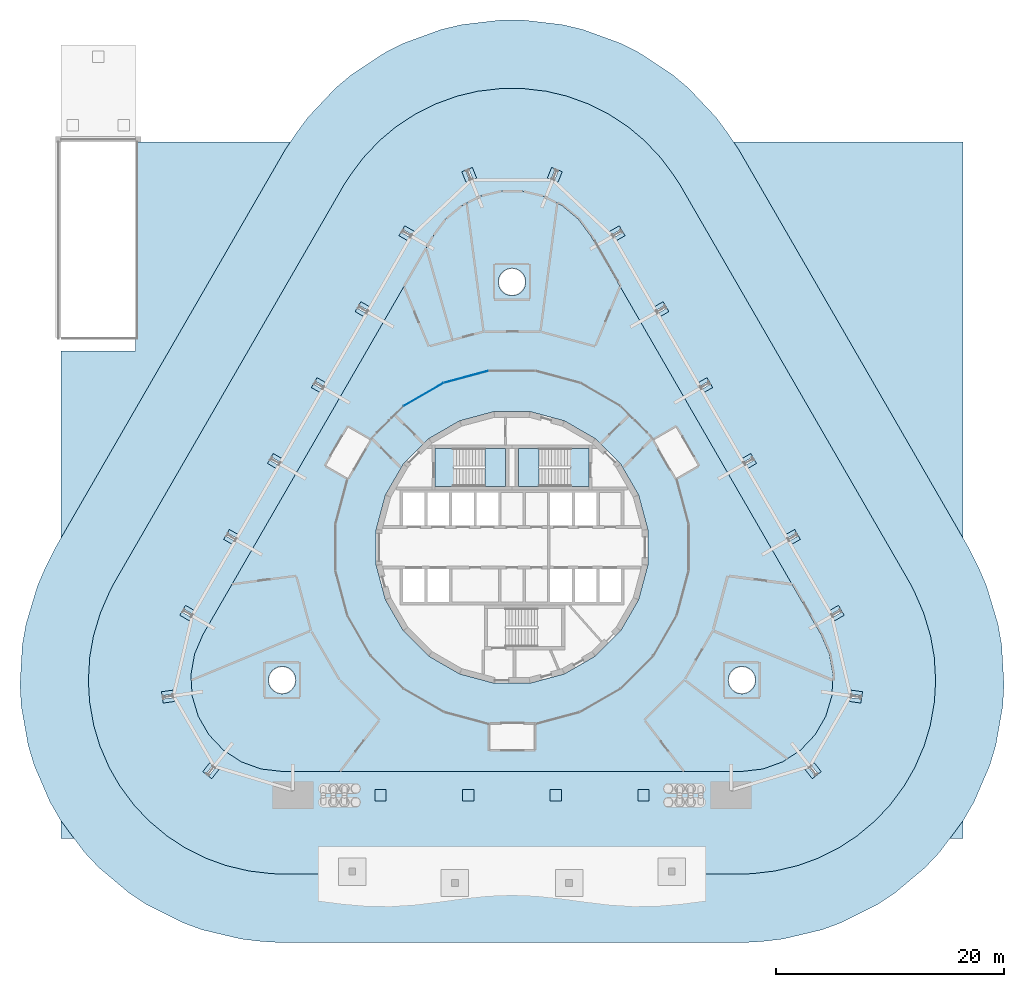
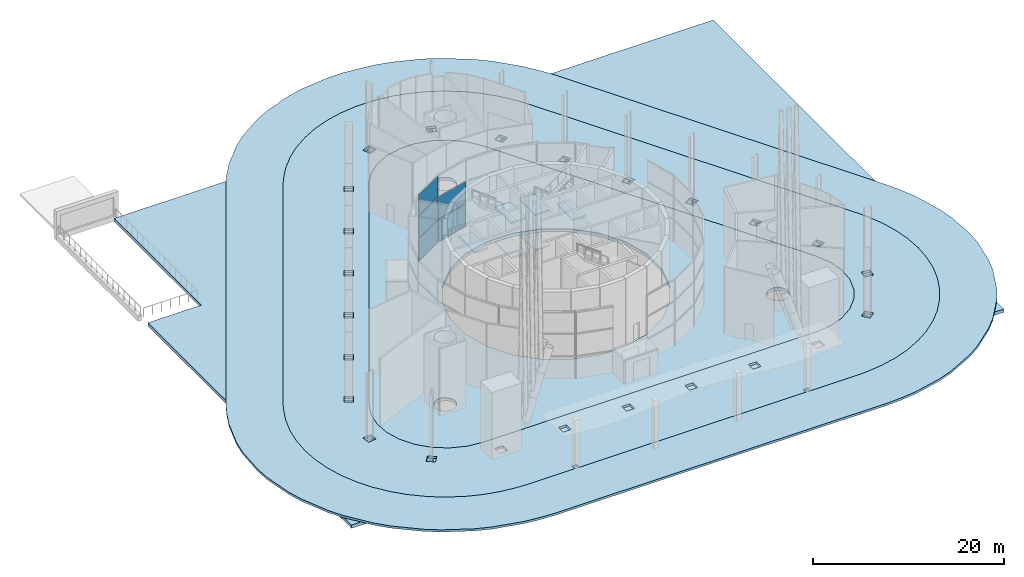
# One storey, part 12 of 21: 10 slabs, 5 plates, 4 elements without a shape of their own.
"""IFC4 building model written with IfcOpenShell, lengths in metres."""

from ifc_helpers import new_model, si_unit, direction, frame, origin, origin_2d, place, context, subcontext, project, spatial, polyline, rectangle, outline, extrude, material, layer, layer_set, type_object, element, aggregate, save


model = new_model("IFC4")

# Units and contexts
model_context = context("Model", 3, precision=1e-05, world=origin(), true_north=direction((0.0, 1.0)))
body_context = subcontext(model_context, "Body", "Model", "MODEL_VIEW")
ifc_project = project(units=[si_unit("LENGTHUNIT", "METRE"), si_unit("AREAUNIT", "SQUARE_METRE"), si_unit("VOLUMEUNIT", "CUBIC_METRE"), si_unit("PLANEANGLEUNIT", "RADIAN"), si_unit("MASSUNIT", "GRAM", prefix="KILO")], contexts=[model_context])

# Site, building, storey
site_placement = place(None, origin())
site = spatial("IfcSite", under=ifc_project, at=site_placement, CompositionType="ELEMENT")
building_placement = place(site_placement, origin())
building = spatial("IfcBuilding", under=site, at=building_placement, Name="Spindle Arch Residences", CompositionType="ELEMENT")
storey_placement = place(building_placement, origin())
storey = spatial("IfcBuildingStorey", under=building, at=storey_placement, Name="L00", CompositionType="ELEMENT", Elevation=0.0)

# Stair, slabs
ifc_material_1 = material(Name="Concrete C50/60", Category="concrete")
stair_type = type_object("IfcStairType", Name="Exit stair 44 risers", PredefinedType="HALF_TURN_STAIR", material=ifc_material_1)
stair_1_placement = place(storey_placement, origin())
stair_1 = element("IfcStair", 1, at=stair_1_placement, inside=storey, type_object=stair_type, Name="L00 Exit stair ST1", PredefinedType="HALF_TURN_STAIR")
ifc_material_2 = material(Name="Concrete C50/60", Category="concrete")
ifc_layer_1 = layer(ifc_material_2, 0.219970703125)
ifc_layer_set_1 = layer_set([ifc_layer_1], Name="Exit stair landing 220")
slab_type_1 = type_object("IfcSlabType", Name="Exit stair landing 220", PredefinedType="LANDING", material=ifc_layer_set_1)
slab_1_placement = place(storey_placement, frame((0.0, 0.0, 2.030029296875)))
slab_1 = element("IfcSlab", 2, at=slab_1_placement, type_object=slab_type_1, Name="ST1 landing 1", PredefinedType="LANDING", context=body_context, shape_type="SweptSolid", body=[
    extrude(outline(polyline([(2.3701171875, 8.669921875), (0.550048828125, 8.669921875), (0.550048828125, 5.35009765625), (2.3701171875, 5.35009765625), (2.3701171875, 8.669921875)])), origin(), (0.0, 0.0, 1.0), 0.219970703125),
])
slab_2_placement = place(storey_placement, frame((0.0, 0.0, 4.280029296875)))
slab_2 = element("IfcSlab", 3, at=slab_2_placement, type_object=slab_type_1, Name="ST1 landing 2", PredefinedType="LANDING", context=body_context, shape_type="SweptSolid", body=[
    extrude(outline(polyline([(6.75, 8.669921875), (5.1298828125, 8.669921875), (5.1298828125, 5.35009765625), (6.75, 5.35009765625), (6.75, 8.669921875)])), origin(), (0.0, 0.0, 1.0), 0.219970703125),
])
slab_3_placement = place(storey_placement, frame((0.0, 0.0, 6.530029296875)))
slab_3 = element("IfcSlab", 4, at=slab_3_placement, type_object=slab_type_1, Name="ST1 landing 3", PredefinedType="LANDING", context=body_context, shape_type="SweptSolid", body=[
    extrude(outline(polyline([(2.3701171875, 8.669921875), (0.550048828125, 8.669921875), (0.550048828125, 5.35009765625), (2.3701171875, 5.35009765625), (2.3701171875, 8.669921875)])), origin(), (0.0, 0.0, 1.0), 0.219970703125),
])
aggregate(stair_1, [slab_1, slab_2, slab_3])

stair_2_placement = place(storey_placement, origin())
stair_2 = element("IfcStair", 5, at=stair_2_placement, inside=storey, type_object=stair_type, Name="L00 Exit stair ST2", PredefinedType="HALF_TURN_STAIR")
slab_4_placement = place(storey_placement, frame((0.0, 0.0, 2.030029296875)))
slab_4 = element("IfcSlab", 6, at=slab_4_placement, type_object=slab_type_1, Name="ST2 landing 1", PredefinedType="LANDING", context=body_context, shape_type="SweptSolid", body=[
    extrude(outline(polyline([(-2.3701171875, 5.35009765625), (-0.550048828125, 5.35009765625), (-0.550048828125, 8.669921875), (-2.3701171875, 8.669921875), (-2.3701171875, 5.35009765625)])), origin(), (0.0, 0.0, 1.0), 0.219970703125),
])
slab_5_placement = place(storey_placement, frame((0.0, 0.0, 4.280029296875)))
slab_5 = element("IfcSlab", 7, at=slab_5_placement, type_object=slab_type_1, Name="ST2 landing 2", PredefinedType="LANDING", context=body_context, shape_type="SweptSolid", body=[
    extrude(outline(polyline([(-6.75, 5.35009765625), (-5.1298828125, 5.35009765625), (-5.1298828125, 8.669921875), (-6.75, 8.669921875), (-6.75, 5.35009765625)])), origin(), (0.0, 0.0, 1.0), 0.219970703125),
])
slab_6_placement = place(storey_placement, frame((0.0, 0.0, 6.530029296875)))
slab_6 = element("IfcSlab", 8, at=slab_6_placement, type_object=slab_type_1, Name="ST2 landing 3", PredefinedType="LANDING", context=body_context, shape_type="SweptSolid", body=[
    extrude(outline(polyline([(-2.3701171875, 5.35009765625), (-0.550048828125, 5.35009765625), (-0.550048828125, 8.669921875), (-2.3701171875, 8.669921875), (-2.3701171875, 5.35009765625)])), origin(), (0.0, 0.0, 1.0), 0.219970703125),
])
aggregate(stair_2, [slab_4, slab_5, slab_6])

# Slabs
ifc_material_3 = material(Name="Concrete C40/50", Category="concrete")
ifc_layer_2 = layer(ifc_material_3, 0.419921875)
ifc_layer_set_2 = layer_set([ifc_layer_2], Name="Ground floor slab 420")
slab_type_2 = type_object("IfcSlabType", Name="Ground floor slab 420", PredefinedType="FLOOR", material=ifc_layer_set_2)
slab_7_placement = place(storey_placement, frame((0.0, 0.0, -0.419921875)))
element("IfcSlab", 9, at=slab_7_placement, inside=storey, type_object=slab_type_2, Name="Floor slab L00", PredefinedType="FLOOR", context=body_context, shape_type="SweptSolid", body=[
    extrude(outline(polyline([(-21.988525390625, -19.414306640625), (-23.73388671875, -18.779052734375), (-25.285888671875, -17.75830078125), (-26.560546875, -16.4072265625), (-27.4892578125, -14.798583984375), (-28.022216796875, -13.01904296875), (-28.130126953125, -11.164794921875), (-27.8076171875, -9.33544921875), (-27.07177734375, -7.6298828125), (-6.92822265625, 27.259765625), (-5.819091796875, 28.749755859375), (-4.39599609375, 29.943603515625), (-2.736083984375, 30.77734375), (-0.9287109375, 31.205810546875), (0.9287109375, 31.205810546875), (2.736083984375, 30.77734375), (4.39599609375, 29.943603515625), (5.819091796875, 28.749755859375), (6.92822265625, 27.259765625), (27.07177734375, -7.6298828125), (27.8076171875, -9.33544921875), (28.130126953125, -11.164794921875), (28.022216796875, -13.01904296875), (27.4892578125, -14.798583984375), (26.560546875, -16.4072265625), (25.285888671875, -17.75830078125), (23.73388671875, -18.779052734375), (21.988525390625, -19.414306640625), (20.1435546875, -19.6298828125), (0.0, -19.6298828125), (-20.1435546875, -19.6298828125), (-21.988525390625, -19.414306640625)]), holes=[polyline([(7.30517578125, -9.520263671875), (9.520263671875, -7.30517578125), (11.086669921875, -4.59228515625), (11.897216796875, -1.56640625), (11.897216796875, 1.56640625), (11.086669921875, 4.59228515625), (9.520263671875, 7.30517578125), (7.30517578125, 9.520263671875), (4.59228515625, 11.086669921875), (1.56640625, 11.897216796875), (-1.56640625, 11.897216796875), (-4.59228515625, 11.086669921875), (-7.30517578125, 9.520263671875), (-9.520263671875, 7.30517578125), (-11.086669921875, 4.59228515625), (-11.897216796875, 1.56640625), (-11.897216796875, -1.56640625), (-11.086669921875, -4.59228515625), (-9.520263671875, -7.30517578125), (-7.30517578125, -9.520263671875), (-4.59228515625, -11.086669921875), (-1.56640625, -11.897216796875), (1.56640625, -11.897216796875), (4.59228515625, -11.086669921875), (7.30517578125, -9.520263671875)]), polyline([(-19.295166015625, -12.478515625), (-19.145751953125, -12.296630859375), (-19.034912109375, -12.089111328125), (-18.966796875, -11.864013671875), (-18.943603515625, -11.6298828125), (-18.966796875, -11.395751953125), (-19.034912109375, -11.170654296875), (-19.145751953125, -10.963134765625), (-19.295166015625, -10.781494140625), (-19.476806640625, -10.632080078125), (-19.684326171875, -10.521240234375), (-19.909423828125, -10.452880859375), (-20.1435546875, -10.429931640625), (-20.377685546875, -10.452880859375), (-20.602783203125, -10.521240234375), (-20.810302734375, -10.632080078125), (-20.9921875, -10.781494140625), (-21.141357421875, -10.963134765625), (-21.252197265625, -11.170654296875), (-21.320556640625, -11.395751953125), (-21.343505859375, -11.6298828125), (-21.320556640625, -11.864013671875), (-21.252197265625, -12.089111328125), (-21.141357421875, -12.296630859375), (-20.9921875, -12.478515625), (-20.810302734375, -12.627685546875), (-20.602783203125, -12.738525390625), (-20.377685546875, -12.806884765625), (-20.1435546875, -12.829833984375), (-19.909423828125, -12.806884765625), (-19.684326171875, -12.738525390625), (-19.476806640625, -12.627685546875), (-19.295166015625, -12.478515625)]), polyline([(0.848388671875, 22.411376953125), (0.997802734375, 22.593017578125), (1.108642578125, 22.800537109375), (1.177001953125, 23.025634765625), (1.199951171875, 23.259765625), (1.177001953125, 23.493896484375), (1.108642578125, 23.718994140625), (0.997802734375, 23.926513671875), (0.848388671875, 24.1083984375), (0.666748046875, 24.257568359375), (0.459228515625, 24.368408203125), (0.234130859375, 24.436767578125), (0.0, 24.459716796875), (-0.234130859375, 24.436767578125), (-0.459228515625, 24.368408203125), (-0.666748046875, 24.257568359375), (-0.848388671875, 24.1083984375), (-0.997802734375, 23.926513671875), (-1.108642578125, 23.718994140625), (-1.177001953125, 23.493896484375), (-1.199951171875, 23.259765625), (-1.177001953125, 23.025634765625), (-1.108642578125, 22.800537109375), (-0.997802734375, 22.593017578125), (-0.848388671875, 22.411376953125), (-0.666748046875, 22.261962890625), (-0.459228515625, 22.151123046875), (-0.234130859375, 22.0830078125), (0.0, 22.059814453125), (0.234130859375, 22.0830078125), (0.459228515625, 22.151123046875), (0.666748046875, 22.261962890625), (0.848388671875, 22.411376953125)]), polyline([(20.9921875, -12.478515625), (21.141357421875, -12.296630859375), (21.252197265625, -12.089111328125), (21.320556640625, -11.864013671875), (21.343505859375, -11.6298828125), (21.320556640625, -11.395751953125), (21.252197265625, -11.170654296875), (21.141357421875, -10.963134765625), (20.9921875, -10.781494140625), (20.810302734375, -10.632080078125), (20.602783203125, -10.521240234375), (20.377685546875, -10.452880859375), (20.1435546875, -10.429931640625), (19.909423828125, -10.452880859375), (19.684326171875, -10.521240234375), (19.476806640625, -10.632080078125), (19.295166015625, -10.781494140625), (19.145751953125, -10.963134765625), (19.034912109375, -11.170654296875), (18.966796875, -11.395751953125), (18.943603515625, -11.6298828125), (18.966796875, -11.864013671875), (19.034912109375, -12.089111328125), (19.145751953125, -12.296630859375), (19.295166015625, -12.478515625), (19.476806640625, -12.627685546875), (19.684326171875, -12.738525390625), (19.909423828125, -12.806884765625), (20.1435546875, -12.829833984375), (20.377685546875, -12.806884765625), (20.602783203125, -12.738525390625), (20.810302734375, -12.627685546875), (20.9921875, -12.478515625)])]), origin(), (0.0, 0.0, 1.0), 0.419921875),
])
ifc_material_4 = material(Name="Concrete C40/50", Category="concrete")
ifc_layer_3 = layer(ifc_material_4, 0.419921875)
ifc_layer_set_3 = layer_set([ifc_layer_3], Name="Plaza deck 420")
slab_type_3 = type_object("IfcSlabType", Name="Plaza deck 420", PredefinedType="FLOOR", material=ifc_layer_set_3)
slab_8_placement = place(storey_placement, frame((0.0, 0.0, -0.699951171875)))
element("IfcSlab", 10, at=slab_8_placement, inside=storey, type_object=slab_type_3, Name="Plaza deck", PredefinedType="FLOOR", context=body_context, shape_type="SweptSolid", body=[
    extrude(outline(polyline([(-33.0, 35.5), (39.5, 35.5), (39.5, -25.5), (-39.5, -25.5), (-39.5, 17.199951171875), (-33.0, 17.199951171875), (-33.0, 35.5)]), holes=[polyline([(21.988525390625, -19.414306640625), (23.73388671875, -18.779052734375), (25.285888671875, -17.75830078125), (26.560546875, -16.4072265625), (27.4892578125, -14.798583984375), (28.022216796875, -13.01904296875), (28.130126953125, -11.164794921875), (27.8076171875, -9.33544921875), (27.07177734375, -7.6298828125), (6.92822265625, 27.259765625), (5.819091796875, 28.749755859375), (4.39599609375, 29.943603515625), (2.736083984375, 30.77734375), (0.9287109375, 31.205810546875), (-0.9287109375, 31.205810546875), (-2.736083984375, 30.77734375), (-4.39599609375, 29.943603515625), (-5.819091796875, 28.749755859375), (-6.92822265625, 27.259765625), (-27.07177734375, -7.6298828125), (-27.8076171875, -9.33544921875), (-28.130126953125, -11.164794921875), (-28.022216796875, -13.01904296875), (-27.4892578125, -14.798583984375), (-26.560546875, -16.4072265625), (-25.285888671875, -17.75830078125), (-23.73388671875, -18.779052734375), (-21.988525390625, -19.414306640625), (-20.1435546875, -19.6298828125), (0.0, -19.6298828125), (20.1435546875, -19.6298828125), (21.988525390625, -19.414306640625)]), polyline([(-17.400146484375, -22.929931640625), (-17.400146484375, -20.52978515625), (-21.000244140625, -20.52978515625), (-21.000244140625, -22.929931640625), (-17.400146484375, -22.929931640625)]), polyline([(-26.231201171875, -19.118896484375), (-26.787841796875, -19.826171875), (-26.55224609375, -20.01171875), (-25.99560546875, -19.304443359375), (-26.231201171875, -19.118896484375)]), polyline([(-29.716064453125, -12.860595703125), (-30.606689453125, -12.989013671875), (-30.563720703125, -13.2861328125), (-29.673095703125, -13.157470703125), (-29.716064453125, -12.860595703125)]), polyline([(-28.10400390625, -6.117919921875), (-27.9541015625, -5.85791015625), (-28.7333984375, -5.407958984375), (-28.88330078125, -5.667724609375), (-28.10400390625, -6.117919921875)]), polyline([(-24.114013671875, 0.793212890625), (-24.893310546875, 1.2431640625), (-25.04345703125, 0.9833984375), (-24.263916015625, 0.533203125), (-24.114013671875, 0.793212890625)]), polyline([(-20.424072265625, 7.1845703125), (-20.27392578125, 7.4443359375), (-21.053466796875, 7.894287109375), (-21.203369140625, 7.634521484375), (-20.424072265625, 7.1845703125)]), polyline([(-16.583984375, 13.835693359375), (-16.433837890625, 14.095458984375), (-17.21337890625, 14.54541015625), (-17.36328125, 14.28564453125), (-16.583984375, 13.835693359375)]), polyline([(-12.593994140625, 20.74658203125), (-13.373291015625, 21.196533203125), (-13.523193359375, 20.936767578125), (-12.743896484375, 20.48681640625), (-12.593994140625, 20.74658203125)]), polyline([(-8.90380859375, 27.137939453125), (-8.75390625, 27.397705078125), (-9.533203125, 27.84765625), (-9.683349609375, 27.587890625), (-8.90380859375, 27.137939453125)]), polyline([(-3.44189453125, 32.2763671875), (-3.77587890625, 33.112060546875), (-4.054443359375, 33.000732421875), (-3.720458984375, 32.1650390625), (-3.44189453125, 32.2763671875)]), polyline([(17.400146484375, -22.929931640625), (21.000244140625, -22.929931640625), (21.000244140625, -20.52978515625), (17.400146484375, -20.52978515625), (17.400146484375, -22.929931640625)]), polyline([(26.231201171875, -19.118896484375), (25.99560546875, -19.304443359375), (26.55224609375, -20.01171875), (26.787841796875, -19.826171875), (26.231201171875, -19.118896484375)]), polyline([(29.673095703125, -13.157470703125), (30.563720703125, -13.2861328125), (30.606689453125, -12.989013671875), (29.716064453125, -12.860595703125), (29.673095703125, -13.157470703125)]), polyline([(27.9541015625, -5.85791015625), (28.10400390625, -6.117919921875), (28.88330078125, -5.667724609375), (28.7333984375, -5.407958984375), (27.9541015625, -5.85791015625)]), polyline([(24.263916015625, 0.533203125), (25.04345703125, 0.9833984375), (24.893310546875, 1.2431640625), (24.114013671875, 0.793212890625), (24.263916015625, 0.533203125)]), polyline([(20.27392578125, 7.4443359375), (20.424072265625, 7.1845703125), (21.203369140625, 7.634521484375), (21.053466796875, 7.894287109375), (20.27392578125, 7.4443359375)]), polyline([(16.433837890625, 14.095458984375), (16.583984375, 13.835693359375), (17.36328125, 14.28564453125), (17.21337890625, 14.54541015625), (16.433837890625, 14.095458984375)]), polyline([(12.743896484375, 20.48681640625), (13.523193359375, 20.936767578125), (13.373291015625, 21.196533203125), (12.593994140625, 20.74658203125), (12.743896484375, 20.48681640625)]), polyline([(8.75390625, 27.397705078125), (8.90380859375, 27.137939453125), (9.683349609375, 27.587890625), (9.533203125, 27.84765625), (8.75390625, 27.397705078125)]), polyline([(3.44189453125, 32.2763671875), (3.720458984375, 32.1650390625), (4.054443359375, 33.000732421875), (3.77587890625, 33.112060546875), (3.44189453125, 32.2763671875)])]), origin(), (0.0, 0.0, 1.0), 0.419921875),
])
ifc_material_5 = material(Name="Concrete C30/37", Category="concrete")
ifc_layer_4 = layer(ifc_material_5, 0.280029296875)
ifc_layer_set_4 = layer_set([ifc_layer_4], Name="Plaza paving slab 280")
slab_type_4 = type_object("IfcSlabType", Name="Plaza paving slab 280", PredefinedType="USERDEFINED", material=ifc_layer_set_4)
slab_9_placement = place(storey_placement, frame((0.0, 0.0, -0.280029296875)))
element("IfcSlab", 11, at=slab_9_placement, inside=storey, type_object=slab_type_4, Name="PAVING plaza", ObjectType="PAVING", PredefinedType="USERDEFINED", context=body_context, shape_type="SweptSolid", body=[
    extrude(outline(polyline([(-21.188232421875, -28.569091796875), (-23.033203125, -28.353515625), (-25.066650390625, -27.87158203125), (-26.812255859375, -27.236328125), (-28.6796875, -26.29833984375), (-30.2314453125, -25.277587890625), (-31.832275390625, -23.9345703125), (-33.10693359375, -22.58349609375), (-34.35498046875, -20.906982421875), (-35.28369140625, -19.298095703125), (-36.111083984375, -17.380126953125), (-36.643798828125, -15.6005859375), (-37.0068359375, -13.54248046875), (-37.114990234375, -11.68798828125), (-36.993408203125, -9.601806640625), (-36.670654296875, -7.7724609375), (-36.071533203125, -5.77099609375), (-35.335693359375, -4.065185546875), (-34.865966796875, -3.1298828125), (-14.722412109375, 31.759765625), (-14.1474609375, 32.634033203125), (-13.038330078125, 34.1240234375), (-11.60400390625, 35.644287109375), (-10.18115234375, 36.838134765625), (-8.435546875, 37.986328125), (-6.775634765625, 38.820068359375), (-4.811279296875, 39.534912109375), (-3.00390625, 39.963134765625), (-0.9287109375, 40.205810546875), (0.9287109375, 40.205810546875), (3.00390625, 39.963134765625), (4.811279296875, 39.534912109375), (6.775634765625, 38.820068359375), (8.435546875, 37.986328125), (10.18115234375, 36.838134765625), (11.60400390625, 35.644287109375), (13.038330078125, 34.1240234375), (14.1474609375, 32.634033203125), (14.722412109375, 31.759765625), (34.865966796875, -3.1298828125), (35.335693359375, -4.065185546875), (36.071533203125, -5.77099609375), (36.670654296875, -7.7724609375), (36.993408203125, -9.601806640625), (37.114990234375, -11.68798828125), (37.0068359375, -13.54248046875), (36.643798828125, -15.6005859375), (36.111083984375, -17.380126953125), (35.28369140625, -19.298095703125), (34.35498046875, -20.906982421875), (33.10693359375, -22.58349609375), (31.832275390625, -23.9345703125), (30.2314453125, -25.277587890625), (28.6796875, -26.29833984375), (26.812255859375, -27.236328125), (25.066650390625, -27.87158203125), (23.033203125, -28.353515625), (21.188232421875, -28.569091796875), (20.1435546875, -28.6298828125), (14.300048828125, -28.6298828125), (14.300048828125, -28.10009765625), (13.699951171875, -28.10009765625), (13.699951171875, -28.6298828125), (-13.699951171875, -28.6298828125), (-13.699951171875, -28.10009765625), (-14.300048828125, -28.10009765625), (-14.300048828125, -28.6298828125), (-20.1435546875, -28.6298828125), (-21.188232421875, -28.569091796875)]), holes=[polyline([(21.988525390625, -19.414306640625), (23.73388671875, -18.779052734375), (25.285888671875, -17.75830078125), (26.560546875, -16.4072265625), (27.4892578125, -14.798583984375), (28.022216796875, -13.01904296875), (28.130126953125, -11.164794921875), (27.8076171875, -9.33544921875), (27.07177734375, -7.6298828125), (6.92822265625, 27.259765625), (5.819091796875, 28.749755859375), (4.39599609375, 29.943603515625), (2.736083984375, 30.77734375), (0.9287109375, 31.205810546875), (-0.9287109375, 31.205810546875), (-2.736083984375, 30.77734375), (-4.39599609375, 29.943603515625), (-5.819091796875, 28.749755859375), (-6.92822265625, 27.259765625), (-27.07177734375, -7.6298828125), (-27.8076171875, -9.33544921875), (-28.130126953125, -11.164794921875), (-28.022216796875, -13.01904296875), (-27.4892578125, -14.798583984375), (-26.560546875, -16.4072265625), (-25.285888671875, -17.75830078125), (-23.73388671875, -18.779052734375), (-21.988525390625, -19.414306640625), (-20.1435546875, -19.6298828125), (0.0, -19.6298828125), (20.1435546875, -19.6298828125), (21.988525390625, -19.414306640625)]), polyline([(-18.7001953125, -22.22998046875), (-18.7001953125, -21.22998046875), (-19.7001953125, -21.22998046875), (-19.7001953125, -22.22998046875), (-18.7001953125, -22.22998046875)]), polyline([(-11.02001953125, -22.22998046875), (-11.02001953125, -21.22998046875), (-12.02001953125, -21.22998046875), (-12.02001953125, -22.22998046875), (-11.02001953125, -22.22998046875)]), polyline([(-3.340087890625, -22.22998046875), (-3.340087890625, -21.22998046875), (-4.340087890625, -21.22998046875), (-4.340087890625, -22.22998046875), (-3.340087890625, -22.22998046875)]), polyline([(-26.30810546875, -20.267578125), (-25.689453125, -19.481689453125), (-26.475341796875, -18.863037109375), (-27.09375, -19.64892578125), (-26.30810546875, -20.267578125)]), polyline([(-30.563232421875, -13.6396484375), (-29.573486328125, -13.496826171875), (-29.716552734375, -12.507080078125), (-30.706298828125, -12.64990234375), (-30.563232421875, -13.6396484375)]), polyline([(-28.235595703125, -6.44580078125), (-27.735595703125, -5.579833984375), (-28.601806640625, -5.079833984375), (-29.101806640625, -5.94580078125), (-28.235595703125, -6.44580078125)]), polyline([(-25.26171875, 0.705078125), (-24.395751953125, 0.205078125), (-23.895751953125, 1.0712890625), (-24.76171875, 1.5712890625), (-25.26171875, 0.705078125)]), polyline([(-21.421630859375, 7.3564453125), (-20.5556640625, 6.8564453125), (-20.0556640625, 7.722412109375), (-20.921630859375, 8.222412109375), (-21.421630859375, 7.3564453125)]), polyline([(-17.58154296875, 14.007568359375), (-16.715576171875, 13.507568359375), (-16.215576171875, 14.37353515625), (-17.08154296875, 14.87353515625), (-17.58154296875, 14.007568359375)]), polyline([(-13.74169921875, 20.65869140625), (-12.87548828125, 20.15869140625), (-12.37548828125, 21.024658203125), (-13.24169921875, 21.524658203125), (-13.74169921875, 20.65869140625)]), polyline([(-9.901611328125, 27.309814453125), (-9.03564453125, 26.809814453125), (-8.53564453125, 27.67578125), (-9.401611328125, 28.17578125), (-9.901611328125, 27.309814453125)]), polyline([(-4.39794921875, 32.917236328125), (-4.02685546875, 31.98876953125), (-3.098388671875, 32.35986328125), (-3.469482421875, 33.288330078125), (-4.39794921875, 32.917236328125)]), polyline([(4.340087890625, -22.22998046875), (4.340087890625, -21.22998046875), (3.340087890625, -21.22998046875), (3.340087890625, -22.22998046875), (4.340087890625, -22.22998046875)]), polyline([(12.02001953125, -22.22998046875), (12.02001953125, -21.22998046875), (11.02001953125, -21.22998046875), (11.02001953125, -22.22998046875), (12.02001953125, -22.22998046875)]), polyline([(19.7001953125, -22.22998046875), (19.7001953125, -21.22998046875), (18.7001953125, -21.22998046875), (18.7001953125, -22.22998046875), (19.7001953125, -22.22998046875)]), polyline([(27.09375, -19.64892578125), (26.475341796875, -18.863037109375), (25.689453125, -19.481689453125), (26.30810546875, -20.267578125), (27.09375, -19.64892578125)]), polyline([(30.706298828125, -12.64990234375), (29.716552734375, -12.507080078125), (29.573486328125, -13.496826171875), (30.563232421875, -13.6396484375), (30.706298828125, -12.64990234375)]), polyline([(27.735595703125, -5.579833984375), (28.235595703125, -6.44580078125), (29.101806640625, -5.94580078125), (28.601806640625, -5.079833984375), (27.735595703125, -5.579833984375)]), polyline([(24.76171875, 1.5712890625), (23.895751953125, 1.0712890625), (24.395751953125, 0.205078125), (25.26171875, 0.705078125), (24.76171875, 1.5712890625)]), polyline([(20.921630859375, 8.222412109375), (20.0556640625, 7.722412109375), (20.5556640625, 6.8564453125), (21.421630859375, 7.3564453125), (20.921630859375, 8.222412109375)]), polyline([(17.08154296875, 14.87353515625), (16.215576171875, 14.37353515625), (16.715576171875, 13.507568359375), (17.58154296875, 14.007568359375), (17.08154296875, 14.87353515625)]), polyline([(13.24169921875, 21.524658203125), (12.37548828125, 21.024658203125), (12.87548828125, 20.15869140625), (13.74169921875, 20.65869140625), (13.24169921875, 21.524658203125)]), polyline([(9.401611328125, 28.17578125), (8.53564453125, 27.67578125), (9.03564453125, 26.809814453125), (9.901611328125, 27.309814453125), (9.401611328125, 28.17578125)]), polyline([(3.469482421875, 33.288330078125), (3.098388671875, 32.35986328125), (4.02685546875, 31.98876953125), (4.39794921875, 32.917236328125), (3.469482421875, 33.288330078125)])]), origin(), (0.0, 0.0, 1.0), 0.280029296875),
])
slab_10_placement = place(storey_placement, frame((0.0, 0.0, -0.280029296875)))
element("IfcSlab", 12, at=slab_10_placement, inside=storey, type_object=slab_type_4, Name="PAVING fire road", ObjectType="PAVING", PredefinedType="USERDEFINED", context=body_context, shape_type="SweptSolid", body=[
    extrude(outline(polyline([(-20.1435546875, -34.6298828125), (-21.884765625, -34.528564453125), (-23.7294921875, -34.31298828125), (-27.11865234375, -33.509765625), (-28.8642578125, -32.87451171875), (-31.9765625, -31.311279296875), (-33.528564453125, -30.29052734375), (-36.196533203125, -28.052001953125), (-37.47119140625, -26.700927734375), (-39.55126953125, -23.90673828125), (-40.47998046875, -22.298095703125), (-41.85888671875, -19.10107421875), (-42.391845703125, -17.32177734375), (-42.996826171875, -13.891357421875), (-43.104736328125, -12.036865234375), (-42.902099609375, -8.559814453125), (-42.57958984375, -6.73046875), (-41.580810546875, -3.39453125), (-40.84521484375, -1.68896484375), (-40.062255859375, -0.1298828125), (-19.91845703125, 34.759765625), (-18.960205078125, 36.216796875), (-17.85107421875, 37.706787109375), (-15.46044921875, 40.24072265625), (-14.03759765625, 41.4345703125), (-11.12841796875, 43.347900390625), (-9.468505859375, 44.181640625), (-6.19482421875, 45.373291015625), (-4.38720703125, 45.801513671875), (-0.9287109375, 46.205810546875), (0.9287109375, 46.205810546875), (4.38720703125, 45.801513671875), (6.19482421875, 45.373291015625), (9.468505859375, 44.181640625), (11.12841796875, 43.347900390625), (14.03759765625, 41.4345703125), (15.46044921875, 40.24072265625), (17.85107421875, 37.706787109375), (18.960205078125, 36.216796875), (19.91845703125, 34.759765625), (40.062255859375, -0.1298828125), (40.84521484375, -1.68896484375), (41.580810546875, -3.39453125), (42.57958984375, -6.73046875), (42.902099609375, -8.559814453125), (43.104736328125, -12.036865234375), (42.996826171875, -13.891357421875), (42.391845703125, -17.32177734375), (41.85888671875, -19.10107421875), (40.47998046875, -22.298095703125), (39.55126953125, -23.90673828125), (37.47119140625, -26.700927734375), (36.196533203125, -28.052001953125), (33.528564453125, -30.29052734375), (31.9765625, -31.311279296875), (28.8642578125, -32.87451171875), (27.11865234375, -33.509765625), (23.7294921875, -34.31298828125), (21.884765625, -34.528564453125), (20.1435546875, -34.6298828125), (-20.1435546875, -34.6298828125)]), holes=[polyline([(21.188232421875, -28.569091796875), (23.033203125, -28.353515625), (25.066650390625, -27.87158203125), (26.812255859375, -27.236328125), (28.6796875, -26.29833984375), (30.2314453125, -25.277587890625), (31.832275390625, -23.9345703125), (33.10693359375, -22.58349609375), (34.35498046875, -20.906982421875), (35.28369140625, -19.298095703125), (36.111083984375, -17.380126953125), (36.643798828125, -15.6005859375), (37.0068359375, -13.54248046875), (37.114990234375, -11.68798828125), (36.993408203125, -9.601806640625), (36.670654296875, -7.7724609375), (36.071533203125, -5.77099609375), (35.335693359375, -4.065185546875), (34.865966796875, -3.1298828125), (14.722412109375, 31.759765625), (14.1474609375, 32.634033203125), (13.038330078125, 34.1240234375), (11.60400390625, 35.644287109375), (10.18115234375, 36.838134765625), (8.435546875, 37.986328125), (6.775634765625, 38.820068359375), (4.811279296875, 39.534912109375), (3.00390625, 39.963134765625), (0.9287109375, 40.205810546875), (-0.9287109375, 40.205810546875), (-3.00390625, 39.963134765625), (-4.811279296875, 39.534912109375), (-6.775634765625, 38.820068359375), (-8.435546875, 37.986328125), (-10.18115234375, 36.838134765625), (-11.60400390625, 35.644287109375), (-13.038330078125, 34.1240234375), (-14.1474609375, 32.634033203125), (-14.722412109375, 31.759765625), (-34.865966796875, -3.1298828125), (-35.335693359375, -4.065185546875), (-36.071533203125, -5.77099609375), (-36.670654296875, -7.7724609375), (-36.993408203125, -9.601806640625), (-37.114990234375, -11.68798828125), (-37.0068359375, -13.54248046875), (-36.643798828125, -15.6005859375), (-36.111083984375, -17.380126953125), (-35.28369140625, -19.298095703125), (-34.35498046875, -20.906982421875), (-33.10693359375, -22.58349609375), (-31.832275390625, -23.9345703125), (-30.2314453125, -25.277587890625), (-28.6796875, -26.29833984375), (-26.812255859375, -27.236328125), (-25.066650390625, -27.87158203125), (-23.033203125, -28.353515625), (-21.188232421875, -28.569091796875), (-20.1435546875, -28.6298828125), (20.1435546875, -28.6298828125), (21.188232421875, -28.569091796875)])]), origin(), (0.0, 0.0, 1.0), 0.280029296875),
])

# Curtain wall, plates
ifc_material_6 = material(Name="Aluminium bronze unitised frame with tinted glass", Category="aluminium")
ifc_layer_5 = layer(ifc_material_6, 0.159912109375)
ifc_layer_set_5 = layer_set([ifc_layer_5], Name="CW-A arcade glazed lobby wall")
curtain_wall_type = type_object("IfcCurtainWallType", Name="CW-A arcade glazed lobby wall", PredefinedType="NOTDEFINED", material=ifc_layer_set_5)
curtain_wall_1_placement = place(storey_placement, origin())
curtain_wall_1 = element("IfcCurtainWall", 13, at=curtain_wall_1_placement, inside=storey, type_object=curtain_wall_type, Name="CW-A L00 CWA11", PredefinedType="NOTDEFINED")
ifc_material_7 = material(Name="Tinted laminated glass 28 mm", Category="glass")
ifc_layer_6 = layer(ifc_material_7, 0.028076171875)
ifc_layer_set_6 = layer_set([ifc_layer_6], Name="Tinted glass panel 28 mm")
plate_type = type_object("IfcPlateType", Name="Tinted glass panel 28 mm", PredefinedType="CURTAIN_PANEL", material=ifc_layer_set_6)
plate_1_placement = place(storey_placement, frame((-4.005615234375, 14.94921875, 0.0), z_axis=(0.0, 0.0, 1.0), x_axis=(-0.965934589271, -0.258786338994, 0.0)))
plate_1 = element("IfcPlate", 14, at=plate_1_placement, type_object=plate_type, Name="CW-A panel 00.1", PredefinedType="CURTAIN_PANEL", context=body_context, shape_type="SweptSolid", body=[
    extrude(rectangle(XDim=4.01513671875, YDim=0.028076171875, at=origin_2d()), origin(), (0.0, 0.0, 1.0), 2.840087890625),
])
plate_2_placement = place(storey_placement, frame((-4.005615234375, 14.94921875, 2.9599609375), z_axis=(0.0, 0.0, 1.0), x_axis=(-0.965934589271, -0.258786338994, 0.0)))
plate_2 = element("IfcPlate", 15, at=plate_2_placement, type_object=plate_type, Name="CW-A panel 00.2", PredefinedType="CURTAIN_PANEL", context=body_context, shape_type="SweptSolid", body=[
    extrude(rectangle(XDim=4.01513671875, YDim=0.028076171875, at=origin_2d()), origin(), (0.0, 0.0, 1.0), 2.780029296875),
])
aggregate(curtain_wall_1, [plate_1, plate_2])

curtain_wall_2_placement = place(storey_placement, origin())
curtain_wall_2 = element("IfcCurtainWall", 16, at=curtain_wall_2_placement, inside=storey, type_object=curtain_wall_type, Name="CW-A L00 CWA12", PredefinedType="NOTDEFINED")
plate_3_placement = place(storey_placement, frame((-7.73828125, 13.403076171875, 0.0), z_axis=(0.0, 0.0, 1.0), x_axis=(-0.866012300009, -0.500022695718, 0.0)))
plate_3 = element("IfcPlate", 17, at=plate_3_placement, type_object=plate_type, Name="CW-A panel 00.1", PredefinedType="CURTAIN_PANEL", context=body_context, shape_type="SweptSolid", body=[
    extrude(rectangle(XDim=4.01513671875, YDim=0.028076171875, at=origin_2d()), origin(), (0.0, 0.0, 1.0), 2.840087890625),
])
plate_4_placement = place(storey_placement, frame((-7.73828125, 13.403076171875, 2.9599609375), z_axis=(0.0, 0.0, 1.0), x_axis=(-0.866012300009, -0.500022695718, 0.0)))
plate_4 = element("IfcPlate", 18, at=plate_4_placement, type_object=plate_type, Name="CW-A panel 00.2", PredefinedType="CURTAIN_PANEL", context=body_context, shape_type="SweptSolid", body=[
    extrude(rectangle(XDim=4.01513671875, YDim=0.028076171875, at=origin_2d()), origin(), (0.0, 0.0, 1.0), 2.780029296875),
])
plate_5_placement = place(storey_placement, frame((-7.73828125, 13.403076171875, 5.85986328125), z_axis=(0.0, 0.0, 1.0), x_axis=(-0.866012300009, -0.500022695718, 0.0)))
plate_5 = element("IfcPlate", 19, at=plate_5_placement, type_object=plate_type, Name="CW-A panel 00.3", PredefinedType="CURTAIN_PANEL", context=body_context, shape_type="SweptSolid", body=[
    extrude(rectangle(XDim=4.01513671875, YDim=0.028076171875, at=origin_2d()), origin(), (0.0, 0.0, 1.0), 2.639892578125),
])
aggregate(curtain_wall_2, [plate_3, plate_4, plate_5])

save(model, "model.ifc")
